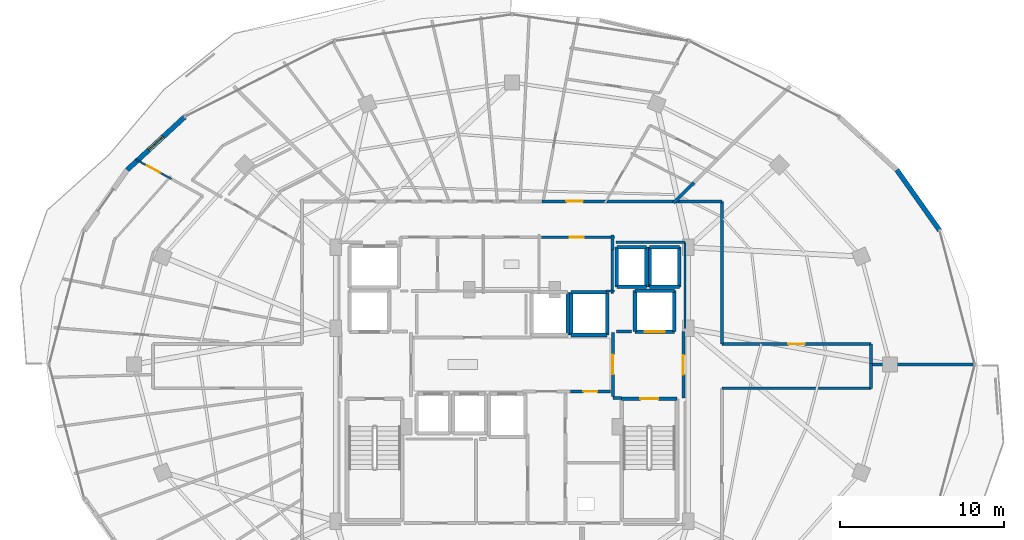
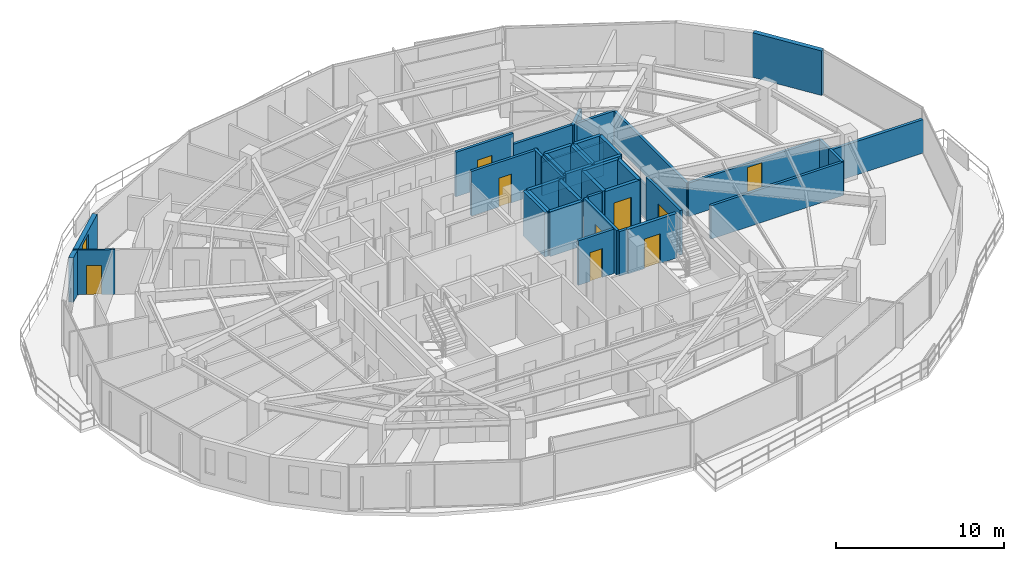
# One storey, part 26 of 31: 42 walls, 9 doors, 1 window, 10 openings.
"""IFC4 building model written with IfcOpenShell, lengths in metres."""

from ifc_helpers import new_model, si_unit, direction, frame, frame_2d, origin, place, context, subcontext, project, spatial, rectangle, extrude, material, layer, layer_set, type_object, element, fill, save


model = new_model("IFC4")

# Units and contexts
model_context = context("Model", 3, precision=1e-05, world=origin(), true_north=direction((0.0, 1.0)))
body_context = subcontext(model_context, "Body", "Model", "MODEL_VIEW")
ifc_project = project(units=[si_unit("LENGTHUNIT", "METRE"), si_unit("AREAUNIT", "SQUARE_METRE"), si_unit("VOLUMEUNIT", "CUBIC_METRE"), si_unit("PLANEANGLEUNIT", "RADIAN"), si_unit("MASSUNIT", "GRAM", prefix="KILO")], contexts=[model_context])

# Site, building, storey
site_placement = place(None, origin())
site = spatial("IfcSite", under=ifc_project, at=site_placement, CompositionType="ELEMENT")
building_placement = place(site_placement, origin())
building = spatial("IfcBuilding", under=site, at=building_placement, Name="Vorneva Point Tower", CompositionType="ELEMENT")
storey_placement = place(building_placement, frame((0.0, 0.0, 193.10009765625)))
storey = spatial("IfcBuildingStorey", under=building, at=storey_placement, Name="L52", CompositionType="ELEMENT", Elevation=193.10009765625)

# Wall, opening, door
ifc_material_1 = material(Name="Concrete B60 (C50/60)", Category="concrete")
ifc_layer_1 = layer(ifc_material_1, 0.35009765625)
ifc_layer_set_1 = layer_set([ifc_layer_1], Name="Concrete B60 (C50/60)")
wall_type_1 = type_object("IfcWallType", Name="WL-CORE-350", PredefinedType="SHEAR", material=ifc_layer_set_1)
wall_1_placement = place(storey_placement, frame((45.5, 28.0, 0.0), z_axis=(0.0, 0.0, 1.0), x_axis=(1.0, 0.0, 0.0)))
wall_1 = element("IfcWall", 1, at=wall_1_placement, inside=storey, type_object=wall_type_1, Name="L52 Lift FFL2 Shaft Wall -Y", PredefinedType="SHEAR", context=body_context, shape_type="SweptSolid", body=[
    extrude(rectangle(XDim=2.39990234375, YDim=0.219970703125, at=frame_2d((1.199951171875, 0.0))), origin(), (0.0, 0.0, 1.0), 3.239990234375),
])
opening_1_placement = place(wall_1_placement, frame((0.60009765625, 0.0, 0.0)))
opening_1 = element("IfcOpeningElement", 2, at=opening_1_placement, cuts=wall_1, Name="Opening LD-02", PredefinedType="OPENING", context=body_context, shape_type="SweptSolid", body=[
    extrude(rectangle(XDim=1.199951171875, YDim=2.199951171875, at=frame_2d((0.60009765625, 1.10009765625))), frame((0.0, 0.125, 0.0), z_axis=(0.0, -1.0, 0.0), x_axis=(1.0, 0.0, 0.0)), (0.0, 0.0, 1.0), 0.249755859375),
])
ifc_material_2 = material(Name="Brushed stainless steel S304", Category="steel")
door_type_1 = type_object("IfcDoorType", Name="LD-FIRE-1200", OperationType="SLIDING_TO_LEFT", PredefinedType="DOOR", material=ifc_material_2)
door_1_placement = place(opening_1_placement, origin())
door_1 = element("IfcDoor", 3, at=door_1_placement, inside=storey, type_object=door_type_1, Name="L52 Lift FFL2 Sliding Landing Door", OperationType="SLIDING_TO_LEFT", OverallHeight=2.199951171875, OverallWidth=1.199951171875, PredefinedType="DOOR", context=body_context, shape_type="SweptSolid", body=[
    extrude(rectangle(XDim=1.199951171875, YDim=2.199951171875, at=frame_2d((0.60009765625, 1.10009765625))), frame((0.0, 0.02490234375, 0.0), z_axis=(0.0, -1.0, 0.0), x_axis=(1.0, 0.0, 0.0)), (0.0, 0.0, 1.0), 0.050048828125),
])
fill(opening_1, door_1)

# Walls
wall_2_placement = place(storey_placement, frame((47.89990234375, 28.0, 0.0), z_axis=(0.0, 0.0, 1.0), x_axis=(0.0, 1.0, 0.0)))
element("IfcWall", 4, at=wall_2_placement, inside=storey, type_object=wall_type_1, Name="L52 Lift FFL2 Shaft Wall +X", PredefinedType="SHEAR", context=body_context, shape_type="SweptSolid", body=[
    extrude(rectangle(XDim=2.5, YDim=0.219970703125, at=frame_2d((1.25, 0.0))), origin(), (0.0, 0.0, 1.0), 3.239990234375),
])
wall_3_placement = place(storey_placement, frame((47.89990234375, 30.5, 0.0), z_axis=(0.0, 0.0, 1.0), x_axis=(-1.0, 0.0, 0.0)))
element("IfcWall", 5, at=wall_3_placement, inside=storey, type_object=wall_type_1, Name="L52 Lift FFL2 Shaft Wall +Y", PredefinedType="SHEAR", context=body_context, shape_type="SweptSolid", body=[
    extrude(rectangle(XDim=2.39990234375, YDim=0.219970703125, at=frame_2d((1.199951171875, 0.0))), origin(), (0.0, 0.0, 1.0), 3.239990234375),
])
wall_4_placement = place(storey_placement, frame((45.5, 30.5, 0.0), z_axis=(0.0, 0.0, 1.0), x_axis=(0.0, -1.0, 0.0)))
element("IfcWall", 6, at=wall_4_placement, inside=storey, type_object=wall_type_1, Name="L52 Lift FFL2 Shaft Wall -X", PredefinedType="SHEAR", context=body_context, shape_type="SweptSolid", body=[
    extrude(rectangle(XDim=2.5, YDim=0.219970703125, at=frame_2d((1.25, 0.0))), origin(), (0.0, 0.0, 1.0), 3.239990234375),
])
ifc_material_3 = material(Name="Precast concrete B50 (C40/50)", Category="concrete")
ifc_layer_2 = layer(ifc_material_3, 0.300048828125)
ifc_layer_set_2 = layer_set([ifc_layer_2], Name="Precast concrete B50 (C40/50)")
wall_type_2 = type_object("IfcWallType", Name="WL-EXT-300", PredefinedType="STANDARD", material=ifc_layer_set_2)
wall_5_placement = place(storey_placement, frame((64.0810546875, 34.17041015625, 0.0), z_axis=(0.0, 0.0, 1.0), x_axis=(-0.577168747264, 0.81662490605, 0.0)))
element("IfcWall", 7, at=wall_5_placement, inside=storey, type_object=wall_type_2, Name="L52 Pale-Metal Facade Spandrel Wall 02.1", PredefinedType="STANDARD", context=body_context, shape_type="SweptSolid", body=[
    extrude(rectangle(XDim=4.519775390625, YDim=0.300048828125, at=frame_2d((2.259765625, 0.0))), origin(), (0.0, 0.0, 1.0), 3.239990234375),
])

# Wall, opening, window
wall_6_placement = place(storey_placement, frame((18.038330078125, 41.0966796875, 0.0), z_axis=(0.0, 0.0, 1.0), x_axis=(-0.735359993374, -0.677676678177, 0.0)))
wall_6 = element("IfcWall", 8, at=wall_6_placement, inside=storey, type_object=wall_type_2, Name="L52 Pale-Metal Facade Spandrel Wall 07.1", PredefinedType="STANDARD", context=body_context, shape_type="SweptSolid", body=[
    extrude(rectangle(XDim=4.774169921875, YDim=0.300048828125, at=frame_2d((2.38720703125, 0.0))), origin(), (0.0, 0.0, 1.0), 3.239990234375),
])
opening_2_placement = place(wall_6_placement, frame((1.787109375, 0.0, 0.85009765625)))
opening_2 = element("IfcOpeningElement", 9, at=opening_2_placement, cuts=wall_6, Name="Opening W-04", PredefinedType="OPENING", context=body_context, shape_type="SweptSolid", body=[
    extrude(rectangle(XDim=1.199951171875, YDim=2.10009765625, at=frame_2d((0.60009765625, 1.050048828125))), frame((0.0, 0.1650390625, 0.0), z_axis=(0.0, -1.0, 0.0), x_axis=(1.0, 0.0, 0.0)), (0.0, 0.0, 1.0), 0.329833984375),
])
ifc_material_4 = material(Name="Double low-e laminated glass IGU", Category="glass")
window_type = type_object("IfcWindowType", Name="WN-RES-1200", PartitioningType="SINGLE_PANEL", PredefinedType="WINDOW", material=ifc_material_4)
window_placement = place(opening_2_placement, origin())
window = element("IfcWindow", 10, at=window_placement, inside=storey, type_object=window_type, Name="L52 Facade Window 07", OverallHeight=2.10009765625, OverallWidth=1.199951171875, PartitioningType="SINGLE_PANEL", PredefinedType="WINDOW", context=body_context, shape_type="SweptSolid", body=[
    extrude(rectangle(XDim=1.199951171875, YDim=2.10009765625, at=frame_2d((0.60009765625, 1.050048828125))), frame((0.0, 0.030029296875, 0.0), z_axis=(0.0, -1.0, 0.0), x_axis=(1.0, 0.0, 0.0)), (0.0, 0.0, 1.0), 0.06005859375),
])
fill(opening_2, window)

# Wall, opening, door
ifc_material_5 = material(Name="Fire-rated acoustic gypsum stud partition", Category="gypsum")
ifc_layer_3 = layer(ifc_material_5, 0.110107421875)
ifc_layer_set_3 = layer_set([ifc_layer_3], Name="Fire-rated acoustic gypsum stud partition")
wall_type_3 = type_object("IfcWallType", Name="WL-PART-110", PredefinedType="PARTITIONING", material=ifc_layer_set_3)
wall_7_placement = place(storey_placement, frame((15.041015625, 38.510009765625, 0.0), z_axis=(0.0, 0.0, 1.0), x_axis=(0.877951724479, -0.478749171784, 0.0)))
wall_7 = element("IfcWall", 11, at=wall_7_placement, inside=storey, type_object=wall_type_3, Name="L52 Interior Partition 092", PredefinedType="PARTITIONING", context=body_context, shape_type="SweptSolid", body=[
    extrude(rectangle(XDim=2.4921875, YDim=0.110107421875, at=frame_2d((1.24609375, 0.0))), origin(), (0.0, 0.0, 1.0), 3.239990234375),
])
opening_3_placement = place(wall_7_placement, frame((0.7958984375, 0.0, 0.0)))
opening_3 = element("IfcOpeningElement", 12, at=opening_3_placement, cuts=wall_7, Name="Opening ID-01", PredefinedType="OPENING", context=body_context, shape_type="SweptSolid", body=[
    extrude(rectangle(XDim=0.89990234375, YDim=2.10009765625, at=frame_2d((0.449951171875, 1.050048828125))), frame((0.0, 0.06982421875, 0.0), z_axis=(0.0, -1.0, 0.0), x_axis=(1.0, 0.0, 0.0)), (0.0, 0.0, 1.0), 0.139892578125),
])
ifc_material_6 = material(Name="Engineered oak fire-rated door leaf", Category="wood")
door_type_2 = type_object("IfcDoorType", Name="DR-ROOM-900", OperationType="NOTDEFINED", PredefinedType="DOOR", material=ifc_material_6)
door_2_placement = place(opening_3_placement, origin())
door_2 = element("IfcDoor", 13, at=door_2_placement, inside=storey, type_object=door_type_2, Name="L52 Door Living and Dining Room L52-02 / Kitchen L52-02", OperationType="SINGLE_SWING_RIGHT", OverallHeight=2.10009765625, OverallWidth=0.89990234375, PredefinedType="DOOR", context=body_context, shape_type="SweptSolid", body=[
    extrude(rectangle(XDim=0.89990234375, YDim=2.10009765625, at=frame_2d((0.449951171875, 1.050048828125))), frame((0.0, 0.02490234375, 0.0), z_axis=(0.0, -1.0, 0.0), x_axis=(1.0, 0.0, 0.0)), (0.0, 0.0, 1.0), 0.050048828125),
])
fill(opening_3, door_2)

# Walls
ifc_layer_4 = layer(ifc_material_5, 0.139892578125)
ifc_layer_set_4 = layer_set([ifc_layer_4], Name="Fire-rated acoustic gypsum stud partition")
wall_type_4 = type_object("IfcWallType", Name="WL-PART-140", PredefinedType="PARTITIONING", material=ifc_layer_set_4)
wall_8_placement = place(storey_placement, frame((43.735107421875, 30.47998046875, 0.0), z_axis=(0.0, 0.0, 1.0), x_axis=(1.0, 0.0, 0.0)))
element("IfcWall", 14, at=wall_8_placement, inside=storey, type_object=wall_type_4, Name="L52 Interior Closure Partition 132", PredefinedType="PARTITIONING", context=body_context, shape_type="SweptSolid", body=[
    extrude(rectangle(XDim=0.52490234375, YDim=0.139892578125, at=frame_2d((0.262451171875, 0.0))), origin(), (0.0, 0.0, 1.0), 3.239990234375),
])
wall_9_placement = place(storey_placement, frame((44.1201171875, 30.340087890625, 0.0), z_axis=(0.0, 0.0, 1.0), x_axis=(0.0, 1.0, 0.0)))
element("IfcWall", 15, at=wall_9_placement, inside=storey, type_object=wall_type_4, Name="L52 Interior Closure Partition 133", PredefinedType="PARTITIONING", context=body_context, shape_type="SweptSolid", body=[
    extrude(rectangle(XDim=2.659912109375, YDim=0.139892578125, at=frame_2d((1.330078125, 0.0))), origin(), (0.0, 0.0, 1.0), 3.239990234375),
])
wall_10_placement = place(storey_placement, frame((48.550048828125, 28.196044921875, 0.0), z_axis=(0.0, 0.0, 1.0), x_axis=(0.0, 1.0, 0.0)))
element("IfcWall", 16, at=wall_10_placement, inside=storey, type_object=wall_type_4, Name="L52 Interior Closure Partition 139", PredefinedType="PARTITIONING", context=body_context, shape_type="SweptSolid", body=[
    extrude(rectangle(XDim=5.25390625, YDim=0.139892578125, at=frame_2d((2.626953125, 0.0))), origin(), (0.0, 0.0, 1.0), 2.431884765625),
])
wall_11_placement = place(storey_placement, frame((48.550048828125, 33.449951171875, 0.0), z_axis=(0.0, 0.0, 1.0), x_axis=(-1.0, 0.0, 0.0)))
element("IfcWall", 17, at=wall_11_placement, inside=storey, type_object=wall_type_4, Name="L52 Interior Closure Partition 140", PredefinedType="PARTITIONING", context=body_context, shape_type="SweptSolid", body=[
    extrude(rectangle(XDim=4.2099609375, YDim=0.139892578125, at=frame_2d((2.10498046875, 0.0))), origin(), (0.0, 0.0, 1.0), 2.431884765625),
])

# Wall, opening, door
ifc_material_7 = material(Name="Autoclaved aerated concrete blockwork", Category="masonry")
ifc_layer_5 = layer(ifc_material_7, 0.179931640625)
ifc_layer_set_5 = layer_set([ifc_layer_5], Name="Autoclaved aerated concrete blockwork")
wall_type_5 = type_object("IfcWallType", Name="WL-PART-180", PredefinedType="PARTITIONING", material=ifc_layer_set_5)
wall_12_placement = place(storey_placement, frame((44.14990234375, 27.955078125, 0.0), z_axis=(0.0, 0.0, 1.0), x_axis=(0.0, -1.0, 0.0)))
wall_12 = element("IfcWall", 18, at=wall_12_placement, inside=storey, type_object=wall_type_5, Name="L52 Interior Partition 003", PredefinedType="PARTITIONING", context=body_context, shape_type="SweptSolid", body=[
    extrude(rectangle(XDim=3.91015625, YDim=0.179931640625, at=frame_2d((1.955078125, 0.0))), origin(), (0.0, 0.0, 1.0), 3.239990234375),
])
opening_4_placement = place(wall_12_placement, frame((1.35498046875, 0.0, 0.0)))
opening_4 = element("IfcOpeningElement", 19, at=opening_4_placement, cuts=wall_12, Name="Opening FD-02", PredefinedType="OPENING", context=body_context, shape_type="SweptSolid", body=[
    extrude(rectangle(XDim=1.199951171875, YDim=2.14990234375, at=frame_2d((0.60009765625, 1.074951171875))), frame((0.0, 0.10498046875, 0.0), z_axis=(0.0, -1.0, 0.0), x_axis=(1.0, 0.0, 0.0)), (0.0, 0.0, 1.0), 0.209716796875),
])
ifc_material_8 = material(Name="Fire-rated powder-coated steel", Category="steel")
door_type_3 = type_object("IfcDoorType", Name="DR-FFL-1200", OperationType="NOTDEFINED", PredefinedType="DOOR", material=ifc_material_8)
door_3_placement = place(opening_4_placement, origin())
door_3 = element("IfcDoor", 20, at=door_3_placement, inside=storey, type_object=door_type_3, Name="L52 Door East Firefighting Lobby / Central Lift Lobby", OperationType="SINGLE_SWING_RIGHT", OverallHeight=2.14990234375, OverallWidth=1.199951171875, PredefinedType="DOOR", context=body_context, shape_type="SweptSolid", body=[
    extrude(rectangle(XDim=1.199951171875, YDim=2.14990234375, at=frame_2d((0.60009765625, 1.074951171875))), frame((0.0, 0.02490234375, 0.0), z_axis=(0.0, -1.0, 0.0), x_axis=(1.0, 0.0, 0.0)), (0.0, 0.0, 1.0), 0.050048828125),
])
fill(opening_4, door_3)

# Wall
wall_13_placement = place(storey_placement, frame((44.14990234375, 23.949951171875, 0.0), z_axis=(0.0, 0.0, 1.0), x_axis=(1.0, 0.0, 0.0)))
element("IfcWall", 21, at=wall_13_placement, inside=storey, type_object=wall_type_5, Name="L52 Interior Partition 004", PredefinedType="PARTITIONING", context=body_context, shape_type="SweptSolid", body=[
    extrude(rectangle(XDim=0.5400390625, YDim=0.179931640625, at=frame_2d((0.27001953125, 0.0))), origin(), (0.0, 0.0, 1.0), 3.239990234375),
])

# Wall, opening, door
wall_14_placement = place(storey_placement, frame((48.449951171875, 23.949951171875, 0.0), z_axis=(0.0, 0.0, 1.0), x_axis=(0.0, 1.0, 0.0)))
wall_14 = element("IfcWall", 22, at=wall_14_placement, inside=storey, type_object=wall_type_5, Name="L52 Interior Partition 005", PredefinedType="PARTITIONING", context=body_context, shape_type="SweptSolid", body=[
    extrude(rectangle(XDim=4.050048828125, YDim=0.179931640625, at=frame_2d((2.02490234375, 0.0))), origin(), (0.0, 0.0, 1.0), 3.239990234375),
])
opening_5_placement = place(wall_14_placement, frame((1.425048828125, 0.0, 0.0)))
opening_5 = element("IfcOpeningElement", 23, at=opening_5_placement, cuts=wall_14, Name="Opening FD-02", PredefinedType="OPENING", context=body_context, shape_type="SweptSolid", body=[
    extrude(rectangle(XDim=1.199951171875, YDim=2.14990234375, at=frame_2d((0.60009765625, 1.074951171875))), frame((0.0, 0.10498046875, 0.0), z_axis=(0.0, -1.0, 0.0), x_axis=(1.0, 0.0, 0.0)), (0.0, 0.0, 1.0), 0.209716796875),
])
door_4_placement = place(opening_5_placement, origin())
door_4 = element("IfcDoor", 24, at=door_4_placement, inside=storey, type_object=door_type_3, Name="L52 Door East Firefighting Lobby / L52 Circulation Corridor", OperationType="SINGLE_SWING_LEFT", OverallHeight=2.14990234375, OverallWidth=1.199951171875, PredefinedType="DOOR", context=body_context, shape_type="SweptSolid", body=[
    extrude(rectangle(XDim=1.199951171875, YDim=2.14990234375, at=frame_2d((0.60009765625, 1.074951171875))), frame((0.0, 0.02490234375, 0.0), z_axis=(0.0, -1.0, 0.0), x_axis=(1.0, 0.0, 0.0)), (0.0, 0.0, 1.0), 0.050048828125),
])
fill(opening_5, door_4)

wall_15_placement = place(storey_placement, frame((41.554931640625, 24.35009765625, 0.0), z_axis=(0.0, 0.0, 1.0), x_axis=(1.0, 0.0, 0.0)))
wall_15 = element("IfcWall", 25, at=wall_15_placement, inside=storey, type_object=wall_type_5, Name="L52 Interior Partition 011", PredefinedType="PARTITIONING", context=body_context, shape_type="SweptSolid", body=[
    extrude(rectangle(XDim=2.445068359375, YDim=0.179931640625, at=frame_2d((1.22265625, 0.0))), origin(), (0.0, 0.0, 1.0), 3.239990234375),
])
opening_6_placement = place(wall_15_placement, frame((0.797607421875, 0.0, 0.0)))
opening_6 = element("IfcOpeningElement", 26, at=opening_6_placement, cuts=wall_15, Name="Opening ID-02", PredefinedType="OPENING", context=body_context, shape_type="SweptSolid", body=[
    extrude(rectangle(XDim=0.85009765625, YDim=2.10009765625, at=frame_2d((0.425048828125, 1.050048828125))), frame((0.0, 0.10498046875, 0.0), z_axis=(0.0, -1.0, 0.0), x_axis=(1.0, 0.0, 0.0)), (0.0, 0.0, 1.0), 0.209716796875),
])
door_type_4 = type_object("IfcDoorType", Name="DR-BATH-850", OperationType="NOTDEFINED", PredefinedType="DOOR", material=ifc_material_6)
door_5_placement = place(opening_6_placement, origin())
door_5 = element("IfcDoor", 27, at=door_5_placement, inside=storey, type_object=door_type_4, Name="L52 Door Central Lift Lobby / Valet and Parcel Room", OperationType="SINGLE_SWING_LEFT", OverallHeight=2.10009765625, OverallWidth=0.85009765625, PredefinedType="DOOR", context=body_context, shape_type="SweptSolid", body=[
    extrude(rectangle(XDim=0.85009765625, YDim=2.10009765625, at=frame_2d((0.425048828125, 1.050048828125))), frame((0.0, 0.02490234375, 0.0), z_axis=(0.0, -1.0, 0.0), x_axis=(1.0, 0.0, 0.0)), (0.0, 0.0, 1.0), 0.050048828125),
])
fill(opening_6, door_5)

wall_16_placement = place(storey_placement, frame((44.260009765625, 33.760009765625, 0.0), z_axis=(0.0, 0.0, 1.0), x_axis=(-1.0, 0.0, 0.0)))
wall_16 = element("IfcWall", 28, at=wall_16_placement, inside=storey, type_object=wall_type_5, Name="L52 Interior Partition 025", PredefinedType="PARTITIONING", context=body_context, shape_type="SweptSolid", body=[
    extrude(rectangle(XDim=4.610107421875, YDim=0.179931640625, at=frame_2d((2.30517578125, 0.0))), origin(), (0.0, 0.0, 1.0), 3.239990234375),
])
opening_7_placement = place(wall_16_placement, frame((1.8798828125, 0.0, 0.0)))
opening_7 = element("IfcOpeningElement", 29, at=opening_7_placement, cuts=wall_16, Name="Opening ID-02", PredefinedType="OPENING", context=body_context, shape_type="SweptSolid", body=[
    extrude(rectangle(XDim=0.85009765625, YDim=2.10009765625, at=frame_2d((0.425048828125, 1.050048828125))), frame((0.0, 0.10498046875, 0.0), z_axis=(0.0, -1.0, 0.0), x_axis=(1.0, 0.0, 0.0)), (0.0, 0.0, 1.0), 0.209716796875),
])
door_6_placement = place(opening_7_placement, origin())
door_6 = element("IfcDoor", 30, at=door_6_placement, inside=storey, type_object=door_type_4, Name="L52 Door Public WC / L52 Circulation Corridor", OperationType="SINGLE_SWING_RIGHT", OverallHeight=2.10009765625, OverallWidth=0.85009765625, PredefinedType="DOOR", context=body_context, shape_type="SweptSolid", body=[
    extrude(rectangle(XDim=0.85009765625, YDim=2.10009765625, at=frame_2d((0.425048828125, 1.050048828125))), frame((0.0, 0.02490234375, 0.0), z_axis=(0.0, -1.0, 0.0), x_axis=(1.0, 0.0, 0.0)), (0.0, 0.0, 1.0), 0.050048828125),
])
fill(opening_7, door_6)

# Wall
wall_17_placement = place(storey_placement, frame((44.1201171875, 32.969970703125, 0.0), z_axis=(0.0, 0.0, 1.0), x_axis=(0.0, 1.0, 0.0)))
element("IfcWall", 31, at=wall_17_placement, inside=storey, type_object=wall_type_5, Name="L52 Interior Partition 026", PredefinedType="PARTITIONING", context=body_context, shape_type="SweptSolid", body=[
    extrude(rectangle(XDim=0.929931640625, YDim=0.179931640625, at=frame_2d((0.46484375, 0.0))), origin(), (0.0, 0.0, 1.0), 3.239990234375),
])

# Wall, opening, door
wall_18_placement = place(storey_placement, frame((43.802978515625, 35.949951171875, 0.0), z_axis=(0.0, 0.0, 1.0), x_axis=(-1.0, 0.0, 0.0)))
wall_18 = element("IfcWall", 32, at=wall_18_placement, inside=storey, type_object=wall_type_5, Name="L52 Interior Partition 030", PredefinedType="PARTITIONING", context=body_context, shape_type="SweptSolid", body=[
    extrude(rectangle(XDim=3.965087890625, YDim=0.179931640625, at=frame_2d((1.982421875, 0.0))), origin(), (0.0, 0.0, 1.0), 3.239990234375),
])
opening_8_placement = place(wall_18_placement, frame((1.482421875, 0.0, 0.0)))
opening_8 = element("IfcOpeningElement", 33, at=opening_8_placement, cuts=wall_18, Name="Opening UD-01", PredefinedType="OPENING", context=body_context, shape_type="SweptSolid", body=[
    extrude(rectangle(XDim=1.0, YDim=2.14990234375, at=frame_2d((0.5, 1.074951171875))), frame((0.0, 0.10498046875, 0.0), z_axis=(0.0, -1.0, 0.0), x_axis=(1.0, 0.0, 0.0)), (0.0, 0.0, 1.0), 0.209716796875),
])
door_type_5 = type_object("IfcDoorType", Name="DR-UNIT-1000", OperationType="NOTDEFINED", PredefinedType="DOOR", material=ifc_material_6)
door_7_placement = place(opening_8_placement, origin())
door_7 = element("IfcDoor", 34, at=door_7_placement, inside=storey, type_object=door_type_5, Name="L52 Door L52 Circulation Corridor / Living and Dining Room L52-01", OperationType="SINGLE_SWING_LEFT", OverallHeight=2.14990234375, OverallWidth=1.0, PredefinedType="DOOR", context=body_context, shape_type="SweptSolid", body=[
    extrude(rectangle(XDim=1.0, YDim=2.14990234375, at=frame_2d((0.5, 1.074951171875))), frame((0.0, 0.02490234375, 0.0), z_axis=(0.0, -1.0, 0.0), x_axis=(1.0, 0.0, 0.0)), (0.0, 0.0, 1.0), 0.050048828125),
])
fill(opening_8, door_7)

# Walls
wall_19_placement = place(storey_placement, frame((48.175048828125, 35.949951171875, 0.0), z_axis=(0.0, 0.0, 1.0), x_axis=(-1.0, 0.0, 0.0)))
element("IfcWall", 35, at=wall_19_placement, inside=storey, type_object=wall_type_5, Name="L52 Interior Partition 031", PredefinedType="PARTITIONING", context=body_context, shape_type="SweptSolid", body=[
    extrude(rectangle(XDim=4.511962890625, YDim=0.179931640625, at=frame_2d((2.255859375, 0.0))), origin(), (0.0, 0.0, 1.0), 2.431884765625),
])
wall_20_placement = place(storey_placement, frame((50.800048828125, 24.550048828125, 0.0), z_axis=(0.0, 0.0, 1.0), x_axis=(1.0, 0.0, 0.0)))
element("IfcWall", 36, at=wall_20_placement, inside=storey, type_object=wall_type_5, Name="L52 Interior Partition 062", PredefinedType="PARTITIONING", context=body_context, shape_type="SweptSolid", body=[
    extrude(rectangle(XDim=9.099853515625, YDim=0.179931640625, at=frame_2d((4.5498046875, 0.0))), origin(), (0.0, 0.0, 1.0), 2.431884765625),
])
wall_21_placement = place(storey_placement, frame((59.89990234375, 24.550048828125, 0.0), z_axis=(0.0, 0.0, 1.0), x_axis=(0.0, 1.0, 0.0)))
element("IfcWall", 37, at=wall_21_placement, inside=storey, type_object=wall_type_5, Name="L52 Interior Partition 063", PredefinedType="PARTITIONING", context=body_context, shape_type="SweptSolid", body=[
    extrude(rectangle(XDim=1.510009765625, YDim=0.179931640625, at=frame_2d((0.7548828125, 0.0))), origin(), (0.0, 0.0, 1.0), 2.431884765625),
])
wall_22_placement = place(storey_placement, frame((59.89990234375, 26.06005859375, 0.0), z_axis=(0.0, 0.0, 1.0), x_axis=(0.0, 1.0, 0.0)))
element("IfcWall", 38, at=wall_22_placement, inside=storey, type_object=wall_type_5, Name="L52 Interior Partition 064", PredefinedType="PARTITIONING", context=body_context, shape_type="SweptSolid", body=[
    extrude(rectangle(XDim=1.18994140625, YDim=0.179931640625, at=frame_2d((0.594970703125, 0.0))), origin(), (0.0, 0.0, 1.0), 2.431884765625),
])

# Wall, opening, door
wall_23_placement = place(storey_placement, frame((59.89990234375, 27.25, 0.0), z_axis=(0.0, 0.0, 1.0), x_axis=(-1.0, 0.0, 0.0)))
wall_23 = element("IfcWall", 39, at=wall_23_placement, inside=storey, type_object=wall_type_5, Name="L52 Interior Partition 065", PredefinedType="PARTITIONING", context=body_context, shape_type="SweptSolid", body=[
    extrude(rectangle(XDim=9.099853515625, YDim=0.179931640625, at=frame_2d((4.5498046875, 0.0))), origin(), (0.0, 0.0, 1.0), 2.431884765625),
])
opening_9_placement = place(wall_23_placement, frame((4.050048828125, 0.0, 0.0)))
opening_9 = element("IfcOpeningElement", 40, at=opening_9_placement, cuts=wall_23, Name="Opening UD-01", PredefinedType="OPENING", context=body_context, shape_type="SweptSolid", body=[
    extrude(rectangle(XDim=1.0, YDim=2.14990234375, at=frame_2d((0.5, 1.074951171875))), frame((0.0, 0.10498046875, 0.0), z_axis=(0.0, -1.0, 0.0), x_axis=(1.0, 0.0, 0.0)), (0.0, 0.0, 1.0), 0.209716796875),
])
door_8_placement = place(opening_9_placement, origin())
door_8 = element("IfcDoor", 41, at=door_8_placement, inside=storey, type_object=door_type_5, Name="L52 Door L52 Circulation Corridor / Residents Sky Lounge L52-06", OperationType="SINGLE_SWING_RIGHT", OverallHeight=2.14990234375, OverallWidth=1.0, PredefinedType="DOOR", context=body_context, shape_type="SweptSolid", body=[
    extrude(rectangle(XDim=1.0, YDim=2.14990234375, at=frame_2d((0.5, 1.074951171875))), frame((0.0, 0.02490234375, 0.0), z_axis=(0.0, -1.0, 0.0), x_axis=(1.0, 0.0, 0.0)), (0.0, 0.0, 1.0), 0.050048828125),
])
fill(opening_9, door_8)

# Walls
wall_24_placement = place(storey_placement, frame((50.800048828125, 27.25, 0.0), z_axis=(0.0, 0.0, 1.0), x_axis=(0.0, 1.0, 0.0)))
element("IfcWall", 42, at=wall_24_placement, inside=storey, type_object=wall_type_5, Name="L52 Interior Partition 066", PredefinedType="PARTITIONING", context=body_context, shape_type="SweptSolid", body=[
    extrude(rectangle(XDim=8.699951171875, YDim=0.179931640625, at=frame_2d((4.35009765625, 0.0))), origin(), (0.0, 0.0, 1.0), 2.431884765625),
])
wall_25_placement = place(storey_placement, frame((50.800048828125, 35.949951171875, 0.0), z_axis=(0.0, 0.0, 1.0), x_axis=(-1.0, 0.0, 0.0)))
element("IfcWall", 43, at=wall_25_placement, inside=storey, type_object=wall_type_5, Name="L52 Interior Partition 067", PredefinedType="PARTITIONING", context=body_context, shape_type="SweptSolid", body=[
    extrude(rectangle(XDim=2.625, YDim=0.179931640625, at=frame_2d((1.3125, 0.0))), origin(), (0.0, 0.0, 1.0), 2.431884765625),
])
wall_26_placement = place(storey_placement, frame((45.280029296875, 28.0, 0.0), z_axis=(0.0, 0.0, 1.0), x_axis=(-1.0, 0.0, 0.0)))
element("IfcWall", 44, at=wall_26_placement, inside=storey, type_object=wall_type_5, Name="L52 Interior Closure Partition 130", PredefinedType="PARTITIONING", context=body_context, shape_type="SweptSolid", body=[
    extrude(rectangle(XDim=0.9150390625, YDim=0.179931640625, at=frame_2d((0.45751953125, 0.0))), origin(), (0.0, 0.0, 1.0), 3.239990234375),
])
ifc_layer_6 = layer(ifc_material_7, 0.199951171875)
ifc_layer_set_6 = layer_set([ifc_layer_6], Name="Autoclaved aerated concrete blockwork")
wall_type_6 = type_object("IfcWallType", Name="WL-PART-200", PredefinedType="PARTITIONING", material=ifc_layer_set_6)
wall_27_placement = place(storey_placement, frame((47.85107421875, 35.85107421875, 0.0), z_axis=(0.0, 0.0, 1.0), x_axis=(0.707106781187, 0.707106781187, 0.0)))
element("IfcWall", 45, at=wall_27_placement, inside=storey, type_object=wall_type_6, Name="L52 Interior Partition 080", PredefinedType="PARTITIONING", context=body_context, shape_type="SweptSolid", body=[
    extrude(rectangle(XDim=1.76318359375, YDim=0.199951171875, at=frame_2d((0.881591796875, 0.0))), origin(), (0.0, 0.0, 1.0), 2.431884765625),
])
wall_28_placement = place(storey_placement, frame((66.22900390625, 26.0, 0.0), z_axis=(0.0, 0.0, 1.0), x_axis=(-1.0, 0.0, 0.0)))
element("IfcWall", 46, at=wall_28_placement, inside=storey, type_object=wall_type_6, Name="L52 Interior Partition 128", PredefinedType="PARTITIONING", context=body_context, shape_type="SweptSolid", body=[
    extrude(rectangle(XDim=6.3291015625, YDim=0.199951171875, at=frame_2d((3.16455078125, 0.0))), origin(), (0.0, 0.0, 1.0), 2.431884765625),
])

# Wall, opening, door
ifc_material_9 = material(Name="Concrete B50 (C40/50)", Category="concrete")
ifc_layer_7 = layer(ifc_material_9, 0.219970703125)
ifc_layer_set_7 = layer_set([ifc_layer_7], Name="Concrete B50 (C40/50)")
wall_type_7 = type_object("IfcWallType", Name="WL-SHFT-220", PredefinedType="SOLIDWALL", material=ifc_layer_set_7)
wall_29_placement = place(storey_placement, frame((44.68994140625, 23.909912109375, 0.0), z_axis=(0.0, 0.0, 1.0), x_axis=(1.0, 0.0, 0.0)))
wall_29 = element("IfcWall", 47, at=wall_29_placement, inside=storey, type_object=wall_type_7, Name="L52 Exit Stair ST2 Shaft Wall near", PredefinedType="SOLIDWALL", context=body_context, shape_type="SweptSolid", body=[
    extrude(rectangle(XDim=3.3701171875, YDim=0.219970703125, at=frame_2d((1.68505859375, 0.0))), origin(), (0.0, 0.0, 1.0), 3.239990234375),
])
opening_10_placement = place(wall_29_placement, frame((1.135009765625, 0.0, 0.0)))
opening_10 = element("IfcOpeningElement", 48, at=opening_10_placement, cuts=wall_29, Name="Opening FD-01", PredefinedType="OPENING", context=body_context, shape_type="SweptSolid", body=[
    extrude(rectangle(XDim=1.10009765625, YDim=2.14990234375, at=frame_2d((0.550048828125, 1.074951171875))), frame((0.0, 0.125, 0.0), z_axis=(0.0, -1.0, 0.0), x_axis=(1.0, 0.0, 0.0)), (0.0, 0.0, 1.0), 0.249755859375),
])
door_type_6 = type_object("IfcDoorType", Name="DR-STAIR-1100", OperationType="NOTDEFINED", PredefinedType="DOOR", material=ifc_material_8)
door_9_placement = place(opening_10_placement, origin())
door_9 = element("IfcDoor", 49, at=door_9_placement, inside=storey, type_object=door_type_6, Name="L52 Exit Stair ST2 Fire Door", OperationType="SINGLE_SWING_LEFT", OverallHeight=2.14990234375, OverallWidth=1.10009765625, PredefinedType="DOOR", context=body_context, shape_type="SweptSolid", body=[
    extrude(rectangle(XDim=1.10009765625, YDim=2.14990234375, at=frame_2d((0.550048828125, 1.074951171875))), frame((0.0, 0.02490234375, 0.0), z_axis=(0.0, -1.0, 0.0), x_axis=(1.0, 0.0, 0.0)), (0.0, 0.0, 1.0), 0.050048828125),
])
fill(opening_10, door_9)

# Walls
wall_30_placement = place(storey_placement, frame((41.39990234375, 27.800048828125, 0.0), z_axis=(0.0, 0.0, 1.0), x_axis=(0.0, 1.0, 0.0)))
element("IfcWall", 50, at=wall_30_placement, inside=storey, type_object=wall_type_7, Name="L52 Lift PL7 Shaft Wall +X", PredefinedType="SOLIDWALL", context=body_context, shape_type="SweptSolid", body=[
    extrude(rectangle(XDim=2.599853515625, YDim=0.219970703125, at=frame_2d((1.2998046875, 0.0))), origin(), (0.0, 0.0, 1.0), 3.239990234375),
])
wall_31_placement = place(storey_placement, frame((41.60009765625, 27.800048828125, 0.0), z_axis=(0.0, 0.0, 1.0), x_axis=(1.0, 0.0, 0.0)))
element("IfcWall", 51, at=wall_31_placement, inside=storey, type_object=wall_type_7, Name="L52 Lift PL8 Shaft Wall -Y", PredefinedType="SOLIDWALL", context=body_context, shape_type="SweptSolid", body=[
    extrude(rectangle(XDim=2.199951171875, YDim=0.219970703125, at=frame_2d((1.10009765625, 0.0))), origin(), (0.0, 0.0, 1.0), 3.239990234375),
])
wall_32_placement = place(storey_placement, frame((43.800048828125, 27.800048828125, 0.0), z_axis=(0.0, 0.0, 1.0), x_axis=(0.0, 1.0, 0.0)))
element("IfcWall", 52, at=wall_32_placement, inside=storey, type_object=wall_type_7, Name="L52 Lift PL8 Shaft Wall +X", PredefinedType="SOLIDWALL", context=body_context, shape_type="SweptSolid", body=[
    extrude(rectangle(XDim=2.599853515625, YDim=0.219970703125, at=frame_2d((1.2998046875, 0.0))), origin(), (0.0, 0.0, 1.0), 3.239990234375),
])
wall_33_placement = place(storey_placement, frame((43.800048828125, 30.39990234375, 0.0), z_axis=(0.0, 0.0, 1.0), x_axis=(-1.0, 0.0, 0.0)))
element("IfcWall", 53, at=wall_33_placement, inside=storey, type_object=wall_type_7, Name="L52 Lift PL8 Shaft Wall +Y", PredefinedType="SOLIDWALL", context=body_context, shape_type="SweptSolid", body=[
    extrude(rectangle(XDim=2.199951171875, YDim=0.219970703125, at=frame_2d((1.10009765625, 0.0))), origin(), (0.0, 0.0, 1.0), 3.239990234375),
])
wall_34_placement = place(storey_placement, frame((41.60009765625, 30.39990234375, 0.0), z_axis=(0.0, 0.0, 1.0), x_axis=(0.0, -1.0, 0.0)))
element("IfcWall", 54, at=wall_34_placement, inside=storey, type_object=wall_type_7, Name="L52 Lift PL8 Shaft Wall -X", PredefinedType="SOLIDWALL", context=body_context, shape_type="SweptSolid", body=[
    extrude(rectangle(XDim=2.599853515625, YDim=0.219970703125, at=frame_2d((1.2998046875, 0.0))), origin(), (0.0, 0.0, 1.0), 3.239990234375),
])
wall_35_placement = place(storey_placement, frame((44.39990234375, 30.739990234375, 0.0), z_axis=(0.0, 0.0, 1.0), x_axis=(1.0, 0.0, 0.0)))
element("IfcWall", 55, at=wall_35_placement, inside=storey, type_object=wall_type_7, Name="L52 Lift EX1 Shaft Wall -Y", PredefinedType="SOLIDWALL", context=body_context, shape_type="SweptSolid", body=[
    extrude(rectangle(XDim=1.800048828125, YDim=0.219970703125, at=frame_2d((0.89990234375, 0.0))), origin(), (0.0, 0.0, 1.0), 3.239990234375),
])
wall_36_placement = place(storey_placement, frame((46.199951171875, 30.739990234375, 0.0), z_axis=(0.0, 0.0, 1.0), x_axis=(0.0, 1.0, 0.0)))
element("IfcWall", 56, at=wall_36_placement, inside=storey, type_object=wall_type_7, Name="L52 Lift EX1 Shaft Wall +X", PredefinedType="SOLIDWALL", context=body_context, shape_type="SweptSolid", body=[
    extrude(rectangle(XDim=2.419921875, YDim=0.219970703125, at=frame_2d((1.2099609375, 0.0))), origin(), (0.0, 0.0, 1.0), 3.239990234375),
])
wall_37_placement = place(storey_placement, frame((46.199951171875, 33.159912109375, 0.0), z_axis=(0.0, 0.0, 1.0), x_axis=(-1.0, 0.0, 0.0)))
element("IfcWall", 57, at=wall_37_placement, inside=storey, type_object=wall_type_7, Name="L52 Lift EX1 Shaft Wall +Y", PredefinedType="SOLIDWALL", context=body_context, shape_type="SweptSolid", body=[
    extrude(rectangle(XDim=1.800048828125, YDim=0.219970703125, at=frame_2d((0.89990234375, 0.0))), origin(), (0.0, 0.0, 1.0), 3.239990234375),
])
wall_38_placement = place(storey_placement, frame((44.39990234375, 33.159912109375, 0.0), z_axis=(0.0, 0.0, 1.0), x_axis=(0.0, -1.0, 0.0)))
element("IfcWall", 58, at=wall_38_placement, inside=storey, type_object=wall_type_7, Name="L52 Lift EX1 Shaft Wall -X", PredefinedType="SOLIDWALL", context=body_context, shape_type="SweptSolid", body=[
    extrude(rectangle(XDim=2.419921875, YDim=0.219970703125, at=frame_2d((1.2099609375, 0.0))), origin(), (0.0, 0.0, 1.0), 3.239990234375),
])
wall_39_placement = place(storey_placement, frame((46.39990234375, 30.739990234375, 0.0), z_axis=(0.0, 0.0, 1.0), x_axis=(1.0, 0.0, 0.0)))
element("IfcWall", 59, at=wall_39_placement, inside=storey, type_object=wall_type_7, Name="L52 Lift EX2 Shaft Wall -Y", PredefinedType="SOLIDWALL", context=body_context, shape_type="SweptSolid", body=[
    extrude(rectangle(XDim=1.800048828125, YDim=0.219970703125, at=frame_2d((0.89990234375, 0.0))), origin(), (0.0, 0.0, 1.0), 3.239990234375),
])
wall_40_placement = place(storey_placement, frame((48.199951171875, 30.739990234375, 0.0), z_axis=(0.0, 0.0, 1.0), x_axis=(0.0, 1.0, 0.0)))
element("IfcWall", 60, at=wall_40_placement, inside=storey, type_object=wall_type_7, Name="L52 Lift EX2 Shaft Wall +X", PredefinedType="SOLIDWALL", context=body_context, shape_type="SweptSolid", body=[
    extrude(rectangle(XDim=2.419921875, YDim=0.219970703125, at=frame_2d((1.2099609375, 0.0))), origin(), (0.0, 0.0, 1.0), 3.239990234375),
])
wall_41_placement = place(storey_placement, frame((48.199951171875, 33.159912109375, 0.0), z_axis=(0.0, 0.0, 1.0), x_axis=(-1.0, 0.0, 0.0)))
element("IfcWall", 61, at=wall_41_placement, inside=storey, type_object=wall_type_7, Name="L52 Lift EX2 Shaft Wall +Y", PredefinedType="SOLIDWALL", context=body_context, shape_type="SweptSolid", body=[
    extrude(rectangle(XDim=1.800048828125, YDim=0.219970703125, at=frame_2d((0.89990234375, 0.0))), origin(), (0.0, 0.0, 1.0), 3.239990234375),
])
wall_42_placement = place(storey_placement, frame((46.39990234375, 33.159912109375, 0.0), z_axis=(0.0, 0.0, 1.0), x_axis=(0.0, -1.0, 0.0)))
element("IfcWall", 62, at=wall_42_placement, inside=storey, type_object=wall_type_7, Name="L52 Lift EX2 Shaft Wall -X", PredefinedType="SOLIDWALL", context=body_context, shape_type="SweptSolid", body=[
    extrude(rectangle(XDim=2.419921875, YDim=0.219970703125, at=frame_2d((1.2099609375, 0.0))), origin(), (0.0, 0.0, 1.0), 3.239990234375),
])

save(model, "model.ifc")
